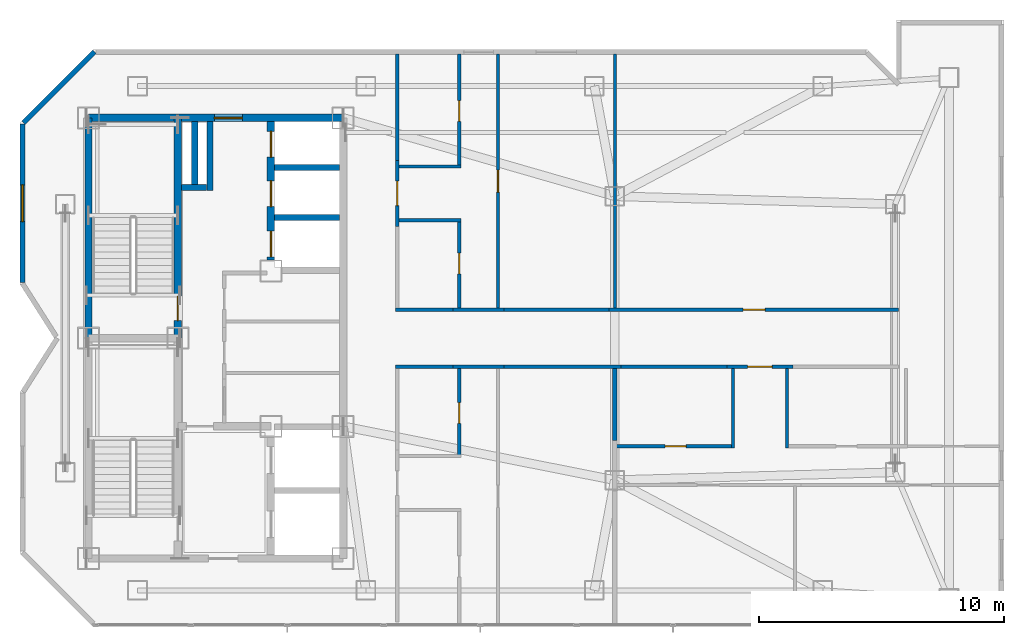
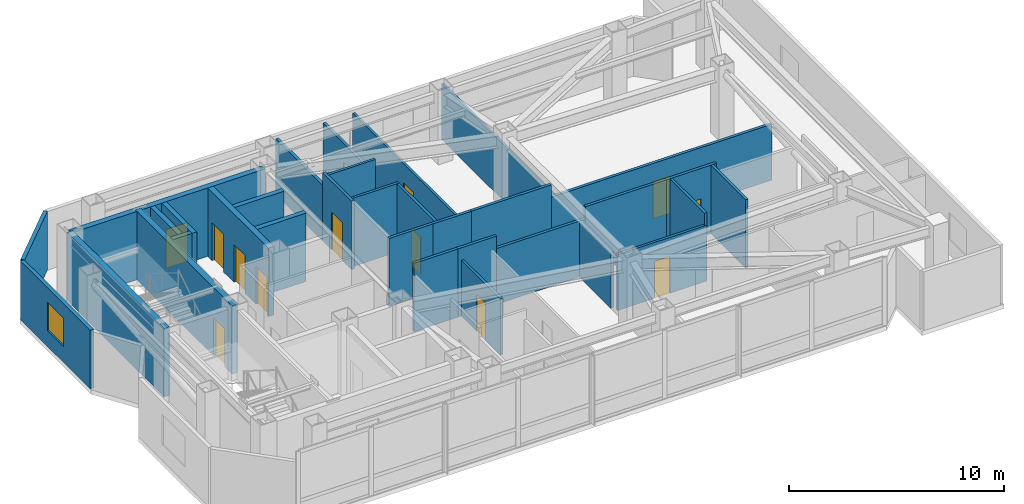
# One storey, part 10 of 12: 33 walls, 13 doors, 1 window, 14 openings.
"""IFC4 building model written with IfcOpenShell, lengths in metres."""

from ifc_helpers import new_model, si_unit, direction, frame, frame_2d, origin, place, context, subcontext, project, spatial, rectangle, extrude, material, layer, layer_set, type_object, element, fill, save


model = new_model("IFC4")

# Units and contexts
model_context = context("Model", 3, precision=1e-05, world=origin(), true_north=direction((0.0, 1.0)))
body_context = subcontext(model_context, "Body", "Model", "MODEL_VIEW")
ifc_project = project(units=[si_unit("LENGTHUNIT", "METRE"), si_unit("AREAUNIT", "SQUARE_METRE"), si_unit("VOLUMEUNIT", "CUBIC_METRE"), si_unit("PLANEANGLEUNIT", "RADIAN"), si_unit("MASSUNIT", "GRAM", prefix="KILO")], contexts=[model_context])

# Site, building, storey
site_placement = place(None, origin())
site = spatial("IfcSite", under=ifc_project, at=site_placement, CompositionType="ELEMENT")
building_placement = place(site_placement, origin())
building = spatial("IfcBuilding", under=site, at=building_placement, Name="Khamvora Tower", CompositionType="ELEMENT")
storey_placement = place(building_placement, frame((0.0, 0.0, 298.85009765625)))
storey = spatial("IfcBuildingStorey", under=building, at=storey_placement, Name="L76", CompositionType="ELEMENT", Elevation=298.85009765625)

# Wall
ifc_material_1 = material(Name="Concrete C50/60", Category="concrete")
ifc_layer_1 = layer(ifc_material_1, 0.300048828125)
ifc_layer_set_1 = layer_set([ifc_layer_1], Name="Concrete C50/60")
wall_type_1 = type_object("IfcWallType", Name="WAL-CORE-300", PredefinedType="SHEAR", material=ifc_layer_set_1)
wall_1_placement = place(storey_placement, frame((29.0, 28.0, 0.0), z_axis=(0.0, 0.0, 1.0), x_axis=(0.0, 1.0, 0.0)))
element("IfcWall", 1, at=wall_1_placement, inside=storey, type_object=wall_type_1, Name="L76 central core west north wall", PredefinedType="SHEAR", context=body_context, shape_type="SweptSolid", body=[
    extrude(rectangle(XDim=9.0, YDim=0.300048828125, at=frame_2d((4.5, 0.0))), origin(), (0.0, 0.0, 1.0), 3.8798828125),
])

# Wall, opening, door
wall_2_placement = place(storey_placement, frame((29.0, 37.0, 0.0), z_axis=(0.0, 0.0, 1.0), x_axis=(1.0, 0.0, 0.0)))
wall_2 = element("IfcWall", 2, at=wall_2_placement, inside=storey, type_object=wall_type_1, Name="L76 central core north wall", PredefinedType="SHEAR", context=body_context, shape_type="SweptSolid", body=[
    extrude(rectangle(XDim=10.39990234375, YDim=0.300048828125, at=frame_2d((5.199951171875, 0.0))), origin(), (0.0, 0.0, 1.0), 3.8798828125),
])
opening_1_placement = place(wall_2_placement, frame((5.139892578125, 0.0, 0.0)))
opening_1 = element("IfcOpeningElement", 3, at=opening_1_placement, cuts=wall_2, Name="Opening D-SC1", PredefinedType="OPENING", context=body_context, shape_type="SweptSolid", body=[
    extrude(rectangle(XDim=1.14990234375, YDim=2.199951171875, at=frame_2d((0.574951171875, 1.10009765625))), frame((0.0, 0.159912109375, 0.0), z_axis=(0.0, -1.0, 0.0), x_axis=(1.0, 0.0, 0.0)), (0.0, 0.0, 1.0), 0.320068359375),
])
ifc_material_2 = material(Name="Powder-Coated Steel and Hardwood Leaf", Category="steel")
door_type_1 = type_object("IfcDoorType", Name="DOR-SCHL-1150", OperationType="NOTDEFINED", PredefinedType="DOOR", material=ifc_material_2)
door_1_placement = place(opening_1_placement, origin())
door_1 = element("IfcDoor", 4, at=door_1_placement, inside=storey, type_object=door_type_1, Name="L76 north core lobby to corridor fire door", OperationType="SINGLE_SWING_LEFT", OverallHeight=2.199951171875, OverallWidth=1.14990234375, PredefinedType="DOOR", context=body_context, shape_type="SweptSolid", body=[
    extrude(rectangle(XDim=1.14990234375, YDim=2.199951171875, at=frame_2d((0.574951171875, 1.10009765625))), frame((0.0, 0.02490234375, 0.0), z_axis=(0.0, -1.0, 0.0), x_axis=(1.0, 0.0, 0.0)), (0.0, 0.0, 1.0), 0.050048828125),
])
fill(opening_1, door_1)

wall_3_placement = place(storey_placement, frame((32.64990234375, 28.0, 0.0), z_axis=(0.0, 0.0, 1.0), x_axis=(0.0, 1.0, 0.0)))
wall_3 = element("IfcWall", 5, at=wall_3_placement, inside=storey, type_object=wall_type_1, Name="L76 central core stair north spine wall", PredefinedType="SHEAR", context=body_context, shape_type="SweptSolid", body=[
    extrude(rectangle(XDim=9.0, YDim=0.300048828125, at=frame_2d((4.5, 0.0))), origin(), (0.0, 0.0, 1.0), 3.8798828125),
])
opening_2_placement = place(wall_3_placement, frame((0.719970703125, 0.0, 0.0)))
opening_2 = element("IfcOpeningElement", 6, at=opening_2_placement, cuts=wall_3, Name="Opening D-ST1", PredefinedType="OPENING", context=body_context, shape_type="SweptSolid", body=[
    extrude(rectangle(XDim=1.0, YDim=2.14990234375, at=frame_2d((0.5, 1.074951171875))), frame((0.0, 0.159912109375, 0.0), z_axis=(0.0, -1.0, 0.0), x_axis=(1.0, 0.0, 0.0)), (0.0, 0.0, 1.0), 0.320068359375),
])
door_type_2 = type_object("IfcDoorType", Name="DOR-STAIR-1000", OperationType="NOTDEFINED", PredefinedType="DOOR", material=ifc_material_2)
door_2_placement = place(opening_2_placement, origin())
door_2 = element("IfcDoor", 7, at=door_2_placement, inside=storey, type_object=door_type_2, Name="L76 exit stair ST-02 fire door", OperationType="SINGLE_SWING_RIGHT", OverallHeight=2.14990234375, OverallWidth=1.0, PredefinedType="DOOR", context=body_context, shape_type="SweptSolid", body=[
    extrude(rectangle(XDim=1.0, YDim=2.14990234375, at=frame_2d((0.5, 1.074951171875))), frame((0.0, 0.02490234375, 0.0), z_axis=(0.0, -1.0, 0.0), x_axis=(1.0, 0.0, 0.0)), (0.0, 0.0, 1.0), 0.050048828125),
])
fill(opening_2, door_2)

# Wall, openings, doors
wall_4_placement = place(storey_placement, frame((36.449951171875, 31.199951171875, 0.0), z_axis=(0.0, 0.0, 1.0), x_axis=(0.0, 1.0, 0.0)))
wall_4 = element("IfcWall", 8, at=wall_4_placement, inside=storey, type_object=wall_type_1, Name="L76 central core lift bank central wall", PredefinedType="SHEAR", context=body_context, shape_type="SweptSolid", body=[
    extrude(rectangle(XDim=5.64599609375, YDim=0.300048828125, at=frame_2d((2.822998046875, 0.0))), origin(), (0.0, 0.0, 1.0), 3.8798828125),
])
opening_3_placement = place(wall_4_placement, frame((0.125, 0.0, 0.0)))
opening_3 = element("IfcOpeningElement", 9, at=opening_3_placement, cuts=wall_4, Name="Opening LD-PL", PredefinedType="OPENING", context=body_context, shape_type="SweptSolid", body=[
    extrude(rectangle(XDim=1.050048828125, YDim=2.14990234375, at=frame_2d((0.52490234375, 1.074951171875))), frame((0.0, 0.159912109375, 0.0), z_axis=(0.0, -1.0, 0.0), x_axis=(1.0, 0.0, 0.0)), (0.0, 0.0, 1.0), 0.320068359375),
])
opening_4_placement = place(wall_4_placement, frame((2.175048828125, 0.0, 0.0)))
opening_4 = element("IfcOpeningElement", 10, at=opening_4_placement, cuts=wall_4, Name="Opening LD-PL", PredefinedType="OPENING", context=body_context, shape_type="SweptSolid", body=[
    extrude(rectangle(XDim=1.050048828125, YDim=2.14990234375, at=frame_2d((0.52490234375, 1.074951171875))), frame((0.0, 0.159912109375, 0.0), z_axis=(0.0, -1.0, 0.0), x_axis=(1.0, 0.0, 0.0)), (0.0, 0.0, 1.0), 0.320068359375),
])
opening_5_placement = place(wall_4_placement, frame((4.195068359375, 0.0, 0.0)))
opening_5 = element("IfcOpeningElement", 11, at=opening_5_placement, cuts=wall_4, Name="Opening LD-PL", PredefinedType="OPENING", context=body_context, shape_type="SweptSolid", body=[
    extrude(rectangle(XDim=1.050048828125, YDim=2.14990234375, at=frame_2d((0.52490234375, 1.074951171875))), frame((0.0, 0.159912109375, 0.0), z_axis=(0.0, -1.0, 0.0), x_axis=(1.0, 0.0, 0.0)), (0.0, 0.0, 1.0), 0.320068359375),
])
door_type_3 = type_object("IfcDoorType", Name="DOR-LIFT-1050", OperationType="SLIDING_TO_LEFT", PredefinedType="DOOR", material=ifc_material_2)
door_3_placement = place(opening_3_placement, origin())
door_3 = element("IfcDoor", 12, at=door_3_placement, inside=storey, type_object=door_type_3, Name="L76 lift landing sliding door PH-01", OperationType="SLIDING_TO_LEFT", OverallHeight=2.14990234375, OverallWidth=1.050048828125, PredefinedType="DOOR", context=body_context, shape_type="SweptSolid", body=[
    extrude(rectangle(XDim=1.050048828125, YDim=2.14990234375, at=frame_2d((0.52490234375, 1.074951171875))), frame((0.0, 0.02490234375, 0.0), z_axis=(0.0, -1.0, 0.0), x_axis=(1.0, 0.0, 0.0)), (0.0, 0.0, 1.0), 0.050048828125),
])
fill(opening_3, door_3)
door_4_placement = place(opening_4_placement, origin())
door_4 = element("IfcDoor", 13, at=door_4_placement, inside=storey, type_object=door_type_3, Name="L76 lift landing sliding door PH-02", OperationType="SLIDING_TO_LEFT", OverallHeight=2.14990234375, OverallWidth=1.050048828125, PredefinedType="DOOR", context=body_context, shape_type="SweptSolid", body=[
    extrude(rectangle(XDim=1.050048828125, YDim=2.14990234375, at=frame_2d((0.52490234375, 1.074951171875))), frame((0.0, 0.02490234375, 0.0), z_axis=(0.0, -1.0, 0.0), x_axis=(1.0, 0.0, 0.0)), (0.0, 0.0, 1.0), 0.050048828125),
])
fill(opening_4, door_4)
door_5_placement = place(opening_5_placement, origin())
door_5 = element("IfcDoor", 14, at=door_5_placement, inside=storey, type_object=door_type_3, Name="L76 lift landing sliding door PH-03", OperationType="SLIDING_TO_LEFT", OverallHeight=2.14990234375, OverallWidth=1.050048828125, PredefinedType="DOOR", context=body_context, shape_type="SweptSolid", body=[
    extrude(rectangle(XDim=1.050048828125, YDim=2.14990234375, at=frame_2d((0.52490234375, 1.074951171875))), frame((0.0, 0.02490234375, 0.0), z_axis=(0.0, -1.0, 0.0), x_axis=(1.0, 0.0, 0.0)), (0.0, 0.0, 1.0), 0.050048828125),
])
fill(opening_5, door_5)

# Wall, opening, door
ifc_material_3 = material(Name="Fire-Rated Drywall and Steel Stud", Category="steel")
ifc_layer_2 = layer(ifc_material_3, 0.14990234375)
ifc_layer_set_2 = layer_set([ifc_layer_2], Name="Fire-Rated Drywall and Steel Stud")
wall_type_2 = type_object("IfcWallType", Name="WAL-CORR-150", PredefinedType="STANDARD", material=ifc_layer_set_2)
wall_5_placement = place(storey_placement, frame((50.256103515625, 29.1650390625, 0.0), z_axis=(0.0, 0.0, 1.0), x_axis=(1.0, 0.0, 0.0)))
wall_5 = element("IfcWall", 15, at=wall_5_placement, inside=storey, type_object=wall_type_2, Name="L76 interior partition wall 007", PredefinedType="STANDARD", context=body_context, shape_type="SweptSolid", body=[
    extrude(rectangle(XDim=11.833984375, YDim=0.14990234375, at=frame_2d((5.9169921875, 0.0))), origin(), (0.0, 0.0, 1.0), 3.1748046875),
])
opening_6_placement = place(wall_5_placement, frame((5.488037109375, 0.0, 0.0)))
opening_6 = element("IfcOpeningElement", 16, at=opening_6_placement, cuts=wall_5, Name="Opening D-RM1", PredefinedType="OPENING", context=body_context, shape_type="SweptSolid", body=[
    extrude(rectangle(XDim=0.89990234375, YDim=2.10009765625, at=frame_2d((0.449951171875, 1.050048828125))), frame((0.0, 0.0849609375, 0.0), z_axis=(0.0, -1.0, 0.0), x_axis=(1.0, 0.0, 0.0)), (0.0, 0.0, 1.0), 0.169921875),
])
door_type_4 = type_object("IfcDoorType", Name="DOR-ROOM-900", OperationType="NOTDEFINED", PredefinedType="DOOR", material=ifc_material_2)
door_6_placement = place(opening_6_placement, origin())
door_6 = element("IfcDoor", 17, at=door_6_placement, inside=storey, type_object=door_type_4, Name="L76 interior door COR-CSAL", OperationType="SINGLE_SWING_LEFT", OverallHeight=2.10009765625, OverallWidth=0.89990234375, PredefinedType="DOOR", context=body_context, shape_type="SweptSolid", body=[
    extrude(rectangle(XDim=0.89990234375, YDim=2.10009765625, at=frame_2d((0.449951171875, 1.050048828125))), frame((0.0, 0.02490234375, 0.0), z_axis=(0.0, -1.0, 0.0), x_axis=(1.0, 0.0, 0.0)), (0.0, 0.0, 1.0), 0.050048828125),
])
fill(opening_6, door_6)

# Walls
wall_6_placement = place(storey_placement, frame((45.97412109375, 26.8349609375, 0.0), z_axis=(0.0, 0.0, 1.0), x_axis=(-1.0, 0.0, 0.0)))
element("IfcWall", 18, at=wall_6_placement, inside=storey, type_object=wall_type_2, Name="L76 interior partition wall 008", PredefinedType="STANDARD", context=body_context, shape_type="SweptSolid", body=[
    extrude(rectangle(XDim=2.078125, YDim=0.14990234375, at=frame_2d((1.0390625, 0.0))), origin(), (0.0, 0.0, 1.0), 3.8798828125),
])
wall_7_placement = place(storey_placement, frame((43.89599609375, 26.8349609375, 0.0), z_axis=(0.0, 0.0, 1.0), x_axis=(-1.0, 0.0, 0.0)))
element("IfcWall", 19, at=wall_7_placement, inside=storey, type_object=wall_type_2, Name="L76 interior partition wall 010", PredefinedType="STANDARD", context=body_context, shape_type="SweptSolid", body=[
    extrude(rectangle(XDim=2.345947265625, YDim=0.14990234375, at=frame_2d((1.1728515625, 0.0))), origin(), (0.0, 0.0, 1.0), 3.8798828125),
])
wall_8_placement = place(storey_placement, frame((50.743896484375, 26.8349609375, 0.0), z_axis=(0.0, 0.0, 1.0), x_axis=(-1.0, 0.0, 0.0)))
element("IfcWall", 20, at=wall_8_placement, inside=storey, type_object=wall_type_2, Name="L76 interior partition wall 013", PredefinedType="STANDARD", context=body_context, shape_type="SweptSolid", body=[
    extrude(rectangle(XDim=4.769775390625, YDim=0.14990234375, at=frame_2d((2.384765625, 0.0))), origin(), (0.0, 0.0, 1.0), 3.1748046875),
])

# Wall, opening, door
wall_9_placement = place(storey_placement, frame((57.780029296875, 26.8349609375, 0.0), z_axis=(0.0, 0.0, 1.0), x_axis=(-1.0, 0.0, 0.0)))
wall_9 = element("IfcWall", 21, at=wall_9_placement, inside=storey, type_object=wall_type_2, Name="L76 interior partition wall 014", PredefinedType="STANDARD", context=body_context, shape_type="SweptSolid", body=[
    extrude(rectangle(XDim=2.697998046875, YDim=0.14990234375, at=frame_2d((1.34912109375, 0.0))), origin(), (0.0, 0.0, 1.0), 3.8798828125),
])
opening_7_placement = place(wall_9_placement, frame((0.84912109375, 0.0, 0.0)))
opening_7 = element("IfcOpeningElement", 22, at=opening_7_placement, cuts=wall_9, Name="Opening D-U1", PredefinedType="OPENING", context=body_context, shape_type="SweptSolid", body=[
    extrude(rectangle(XDim=1.0, YDim=2.14990234375, at=frame_2d((0.5, 1.074951171875))), frame((0.0, 0.0849609375, 0.0), z_axis=(0.0, -1.0, 0.0), x_axis=(1.0, 0.0, 0.0)), (0.0, 0.0, 1.0), 0.169921875),
])
door_type_5 = type_object("IfcDoorType", Name="DOR-UNIT-1000", OperationType="NOTDEFINED", PredefinedType="DOOR", material=ifc_material_2)
door_7_placement = place(opening_7_placement, origin())
door_7 = element("IfcDoor", 23, at=door_7_placement, inside=storey, type_object=door_type_5, Name="L76 interior door COR-76DH", OperationType="SINGLE_SWING_LEFT", OverallHeight=2.14990234375, OverallWidth=1.0, PredefinedType="DOOR", context=body_context, shape_type="SweptSolid", body=[
    extrude(rectangle(XDim=1.0, YDim=2.14990234375, at=frame_2d((0.5, 1.074951171875))), frame((0.0, 0.02490234375, 0.0), z_axis=(0.0, -1.0, 0.0), x_axis=(1.0, 0.0, 0.0)), (0.0, 0.0, 1.0), 0.050048828125),
])
fill(opening_7, door_7)

# Walls
wall_10_placement = place(storey_placement, frame((55.08203125, 26.8349609375, 0.0), z_axis=(0.0, 0.0, 1.0), x_axis=(-1.0, 0.0, 0.0)))
element("IfcWall", 24, at=wall_10_placement, inside=storey, type_object=wall_type_2, Name="L76 interior partition wall 015", PredefinedType="STANDARD", context=body_context, shape_type="SweptSolid", body=[
    extrude(rectangle(XDim=4.338134765625, YDim=0.14990234375, at=frame_2d((2.1689453125, 0.0))), origin(), (0.0, 0.0, 1.0), 3.8798828125),
])
wall_11_placement = place(storey_placement, frame((43.89599609375, 29.1650390625, 0.0), z_axis=(0.0, 0.0, 1.0), x_axis=(1.0, 0.0, 0.0)))
element("IfcWall", 25, at=wall_11_placement, inside=storey, type_object=wall_type_2, Name="L76 interior partition wall 017", PredefinedType="STANDARD", context=body_context, shape_type="SweptSolid", body=[
    extrude(rectangle(XDim=2.078125, YDim=0.14990234375, at=frame_2d((1.0390625, 0.0))), origin(), (0.0, 0.0, 1.0), 3.8798828125),
])

# Wall, opening, door
wall_12_placement = place(storey_placement, frame((41.614990234375, 35.264892578125, 0.0), z_axis=(0.0, 0.0, 1.0), x_axis=(0.0, -1.0, 0.0)))
wall_12 = element("IfcWall", 26, at=wall_12_placement, inside=storey, type_object=wall_type_2, Name="L76 interior partition wall 018", PredefinedType="STANDARD", context=body_context, shape_type="SweptSolid", body=[
    extrude(rectangle(XDim=2.697998046875, YDim=0.14990234375, at=frame_2d((1.34912109375, 0.0))), origin(), (0.0, 0.0, 1.0), 3.8798828125),
])
opening_8_placement = place(wall_12_placement, frame((0.84912109375, 0.0, 0.0)))
opening_8 = element("IfcOpeningElement", 27, at=opening_8_placement, cuts=wall_12, Name="Opening D-U1", PredefinedType="OPENING", context=body_context, shape_type="SweptSolid", body=[
    extrude(rectangle(XDim=1.0, YDim=2.14990234375, at=frame_2d((0.5, 1.074951171875))), frame((0.0, 0.0849609375, 0.0), z_axis=(0.0, -1.0, 0.0), x_axis=(1.0, 0.0, 0.0)), (0.0, 0.0, 1.0), 0.169921875),
])
door_8_placement = place(opening_8_placement, origin())
door_8 = element("IfcDoor", 28, at=door_8_placement, inside=storey, type_object=door_type_5, Name="L76 interior door COR-76EH", OperationType="SINGLE_SWING_RIGHT", OverallHeight=2.14990234375, OverallWidth=1.0, PredefinedType="DOOR", context=body_context, shape_type="SweptSolid", body=[
    extrude(rectangle(XDim=1.0, YDim=2.14990234375, at=frame_2d((0.5, 1.074951171875))), frame((0.0, 0.02490234375, 0.0), z_axis=(0.0, -1.0, 0.0), x_axis=(1.0, 0.0, 0.0)), (0.0, 0.0, 1.0), 0.050048828125),
])
fill(opening_8, door_8)

# Walls
wall_13_placement = place(storey_placement, frame((41.550048828125, 29.1650390625, 0.0), z_axis=(0.0, 0.0, 1.0), x_axis=(1.0, 0.0, 0.0)))
element("IfcWall", 29, at=wall_13_placement, inside=storey, type_object=wall_type_2, Name="L76 interior partition wall 019", PredefinedType="STANDARD", context=body_context, shape_type="SweptSolid", body=[
    extrude(rectangle(XDim=2.345947265625, YDim=0.14990234375, at=frame_2d((1.1728515625, 0.0))), origin(), (0.0, 0.0, 1.0), 3.8798828125),
])
wall_14_placement = place(storey_placement, frame((41.614990234375, 39.60791015625, 0.0), z_axis=(0.0, 0.0, 1.0), x_axis=(0.0, -1.0, 0.0)))
element("IfcWall", 30, at=wall_14_placement, inside=storey, type_object=wall_type_2, Name="L76 interior partition wall 021", PredefinedType="STANDARD", context=body_context, shape_type="SweptSolid", body=[
    extrude(rectangle(XDim=4.343017578125, YDim=0.14990234375, at=frame_2d((2.17138671875, 0.0))), origin(), (0.0, 0.0, 1.0), 3.1748046875),
])
wall_15_placement = place(storey_placement, frame((45.97412109375, 29.1650390625, 0.0), z_axis=(0.0, 0.0, 1.0), x_axis=(1.0, 0.0, 0.0)))
element("IfcWall", 31, at=wall_15_placement, inside=storey, type_object=wall_type_2, Name="L76 interior partition wall 022", PredefinedType="STANDARD", context=body_context, shape_type="SweptSolid", body=[
    extrude(rectangle(XDim=4.281982421875, YDim=0.14990234375, at=frame_2d((2.14111328125, 0.0))), origin(), (0.0, 0.0, 1.0), 3.8798828125),
])
ifc_material_4 = material(Name="Acoustic Double-Stud Fire Wall", Category="gypsum")
ifc_layer_3 = layer(ifc_material_4, 0.179931640625)
ifc_layer_set_3 = layer_set([ifc_layer_3], Name="Acoustic Double-Stud Fire Wall")
wall_type_3 = type_object("IfcWallType", Name="WAL-CORR-180", PredefinedType="STANDARD", material=ifc_layer_set_3)
wall_16_placement = place(storey_placement, frame((50.4951171875, 26.77001953125, 0.0), z_axis=(0.0, 0.0, 1.0), x_axis=(0.0, -1.0, 0.0)))
element("IfcWall", 32, at=wall_16_placement, inside=storey, type_object=wall_type_3, Name="L76 interior partition wall 030", PredefinedType="STANDARD", context=body_context, shape_type="SweptSolid", body=[
    extrude(rectangle(XDim=2.93896484375, YDim=0.179931640625, at=frame_2d((1.469482421875, 0.0))), origin(), (0.0, 0.0, 1.0), 3.1748046875),
])

# Wall, opening, window
ifc_material_5 = material(Name="Precast concrete C40/50", Category="concrete")
ifc_layer_4 = layer(ifc_material_5, 0.199951171875)
ifc_layer_set_4 = layer_set([ifc_layer_4], Name="Precast concrete C40/50")
wall_type_4 = type_object("IfcWallType", Name="WAL-EXT-200", PredefinedType="STANDARD", material=ifc_layer_set_4)
wall_17_placement = place(storey_placement, frame((26.300048828125, 30.27392578125, 0.0), z_axis=(0.0, 0.0, 1.0), x_axis=(0.0, 1.0, 0.0)))
wall_17 = element("IfcWall", 33, at=wall_17_placement, inside=storey, type_object=wall_type_4, Name="L76 exterior facade wall 06.1", PredefinedType="STANDARD", context=body_context, shape_type="SweptSolid", body=[
    extrude(rectangle(XDim=6.485107421875, YDim=0.199951171875, at=frame_2d((3.24267578125, 0.0))), origin(), (0.0, 0.0, 1.0), 3.329833984375),
])
opening_9_placement = place(wall_17_placement, frame((2.491943359375, 0.0, 0.89990234375)))
opening_9 = element("IfcOpeningElement", 34, at=opening_9_placement, cuts=wall_17, Name="Opening WN-02", PredefinedType="OPENING", context=body_context, shape_type="SweptSolid", body=[
    extrude(rectangle(XDim=1.5, YDim=1.60009765625, at=frame_2d((0.75, 0.800048828125))), frame((0.0, 0.10986328125, 0.0), z_axis=(0.0, -1.0, 0.0), x_axis=(1.0, 0.0, 0.0)), (0.0, 0.0, 1.0), 0.219970703125),
])
ifc_material_6 = material(Name="Low-E Laminated Double Glazing", Category="glass")
window_type = type_object("IfcWindowType", Name="WIN-VIS-1500x1600", PartitioningType="SINGLE_PANEL", PredefinedType="WINDOW", material=ifc_material_6)
window_placement = place(opening_9_placement, origin())
window = element("IfcWindow", 35, at=window_placement, inside=storey, type_object=window_type, Name="L76 vision window 06.1.01", OverallHeight=1.60009765625, OverallWidth=1.5, PartitioningType="SINGLE_PANEL", PredefinedType="WINDOW", context=body_context, shape_type="SweptSolid", body=[
    extrude(rectangle(XDim=1.5, YDim=1.60009765625, at=frame_2d((0.75, 0.800048828125))), frame((0.0, 0.030029296875, 0.0), z_axis=(0.0, -1.0, 0.0), x_axis=(1.0, 0.0, 0.0)), (0.0, 0.0, 1.0), 0.06005859375),
])
fill(opening_9, window)

# Walls
wall_18_placement = place(storey_placement, frame((26.343994140625, 36.802978515625, 0.0), z_axis=(0.0, 0.0, 1.0), x_axis=(0.707106781187, 0.707106781187, 0.0)))
element("IfcWall", 36, at=wall_18_placement, inside=storey, type_object=wall_type_4, Name="L76 exterior facade wall 07.1", PredefinedType="STANDARD", context=body_context, shape_type="SweptSolid", body=[
    extrude(rectangle(XDim=4.096923828125, YDim=0.199951171875, at=frame_2d((2.04833984375, 0.0))), origin(), (0.0, 0.0, 1.0), 3.329833984375),
])
ifc_material_7 = material(Name="Gypsum Plasterboard Partition", Category="gypsum")
ifc_layer_5 = layer(ifc_material_7, 0.1201171875)
ifc_layer_set_5 = layer_set([ifc_layer_5], Name="Gypsum Plasterboard Partition")
wall_type_5 = type_object("IfcWallType", Name="WAL-PART-120", PredefinedType="PARTITIONING", material=ifc_layer_set_5)
wall_19_placement = place(storey_placement, frame((50.5048828125, 29.22998046875, 0.0), z_axis=(0.0, 0.0, 1.0), x_axis=(0.0, 1.0, 0.0)))
element("IfcWall", 37, at=wall_19_placement, inside=storey, type_object=wall_type_5, Name="L76 interior partition wall 023", PredefinedType="PARTITIONING", context=body_context, shape_type="SweptSolid", body=[
    extrude(rectangle(XDim=10.3779296875, YDim=0.1201171875, at=frame_2d((5.18896484375, 0.0))), origin(), (0.0, 0.0, 1.0), 3.1748046875),
])

# Wall, opening, door
wall_20_placement = place(storey_placement, frame((45.72509765625, 39.60791015625, 0.0), z_axis=(0.0, 0.0, 1.0), x_axis=(0.0, -1.0, 0.0)))
wall_20 = element("IfcWall", 38, at=wall_20_placement, inside=storey, type_object=wall_type_5, Name="L76 interior partition wall 045", PredefinedType="PARTITIONING", context=body_context, shape_type="SweptSolid", body=[
    extrude(rectangle(XDim=10.3779296875, YDim=0.1201171875, at=frame_2d((5.18896484375, 0.0))), origin(), (0.0, 0.0, 1.0), 3.1748046875),
])
opening_10_placement = place(wall_20_placement, frame((4.739013671875, 0.0, 0.0)))
opening_10 = element("IfcOpeningElement", 39, at=opening_10_placement, cuts=wall_20, Name="Opening D-RM1", PredefinedType="OPENING", context=body_context, shape_type="SweptSolid", body=[
    extrude(rectangle(XDim=0.89990234375, YDim=2.10009765625, at=frame_2d((0.449951171875, 1.050048828125))), frame((0.0, 0.070068359375, 0.0), z_axis=(0.0, -1.0, 0.0), x_axis=(1.0, 0.0, 0.0)), (0.0, 0.0, 1.0), 0.14013671875),
])
door_9_placement = place(opening_10_placement, origin())
door_9 = element("IfcDoor", 40, at=door_9_placement, inside=storey, type_object=door_type_4, Name="L76 interior door 76EH-76ER1", OperationType="SINGLE_SWING_RIGHT", OverallHeight=2.10009765625, OverallWidth=0.89990234375, PredefinedType="DOOR", context=body_context, shape_type="SweptSolid", body=[
    extrude(rectangle(XDim=0.89990234375, YDim=2.10009765625, at=frame_2d((0.449951171875, 1.050048828125))), frame((0.0, 0.02490234375, 0.0), z_axis=(0.0, -1.0, 0.0), x_axis=(1.0, 0.0, 0.0)), (0.0, 0.0, 1.0), 0.050048828125),
])
fill(opening_10, door_9)

# Walls
ifc_material_8 = material(Name="Concrete C40/50", Category="concrete")
ifc_layer_6 = layer(ifc_material_8, 0.25)
ifc_layer_set_6 = layer_set([ifc_layer_6], Name="Concrete C40/50")
wall_type_6 = type_object("IfcWallType", Name="WAL-PODS-250", PredefinedType="SHEAR", material=ifc_layer_set_6)
for number, where, z_axis, x_axis, name in (
    (41, (36.60400390625, 32.925048828125, 0.0), (0.0, 0.0, 1.0), (1.0, 0.0, 0.0), "L76 lift shaft divider wall PH-01"),
    (42, (36.60400390625, 34.97509765625, 0.0), (0.0, 0.0, 1.0), (1.0, 0.0, 0.0), "L76 lift shaft divider wall PH-02"),
):
    element("IfcWall", number, at=place(storey_placement, frame(where, z_axis=z_axis, x_axis=x_axis)), inside=storey, type_object=wall_type_6, Name=name, PredefinedType="SHEAR", context=body_context, shape_type="SweptSolid", body=[
        extrude(rectangle(XDim=2.64208984375, YDim=0.25, at=frame_2d((1.321044921875, 0.0))), origin(), (0.0, 0.0, 1.0), 3.8798828125),
    ])
wall_21_placement = place(storey_placement, frame((33.955078125, 34.02490234375, 0.0), z_axis=(0.0, 0.0, 1.0), x_axis=(0.0, 1.0, 0.0)))
element("IfcWall", 43, at=wall_21_placement, inside=storey, type_object=wall_type_6, Name="L76 vertical MEP riser shaft east enclosure wall", PredefinedType="SHEAR", context=body_context, shape_type="SweptSolid", body=[
    extrude(rectangle(XDim=2.821044921875, YDim=0.25, at=frame_2d((1.41064453125, 0.0))), origin(), (0.0, 0.0, 1.0), 3.8798828125),
])
wall_22_placement = place(storey_placement, frame((32.803955078125, 34.14990234375, 0.0), z_axis=(0.0, 0.0, 1.0), x_axis=(1.0, 0.0, 0.0)))
element("IfcWall", 44, at=wall_22_placement, inside=storey, type_object=wall_type_6, Name="L76 vertical MEP riser shaft south enclosure wall", PredefinedType="SHEAR", context=body_context, shape_type="SweptSolid", body=[
    extrude(rectangle(XDim=1.02197265625, YDim=0.25, at=frame_2d((0.510986328125, 0.0))), origin(), (0.0, 0.0, 1.0), 3.8798828125),
])
wall_23_placement = place(storey_placement, frame((33.340087890625, 34.279052734375, 0.0), z_axis=(0.0, 0.0, 1.0), x_axis=(0.0, 1.0, 0.0)))
element("IfcWall", 45, at=wall_23_placement, inside=storey, type_object=wall_type_6, Name="L76 vertical MEP riser shaft divider enclosure wall", PredefinedType="SHEAR", context=body_context, shape_type="SweptSolid", body=[
    extrude(rectangle(XDim=2.56689453125, YDim=0.25, at=frame_2d((1.283447265625, 0.0))), origin(), (0.0, 0.0, 1.0), 3.8798828125),
])

# Wall, opening, door
ifc_material_9 = material(Name="Moisture-Resistant Plasterboard Partition", Category="gypsum")
ifc_layer_7 = layer(ifc_material_9, 0.135009765625)
ifc_layer_set_7 = layer_set([ifc_layer_7], Name="Moisture-Resistant Plasterboard Partition")
wall_type_7 = type_object("IfcWallType", Name="WAL-WET-135", PredefinedType="PARTITIONING", material=ifc_layer_set_7)
wall_24_placement = place(storey_placement, frame((44.14501953125, 23.118896484375, 0.0), z_axis=(0.0, 0.0, 1.0), x_axis=(0.0, 1.0, 0.0)))
wall_24 = element("IfcWall", 46, at=wall_24_placement, inside=storey, type_object=wall_type_7, Name="L76 interior partition wall 025", PredefinedType="PARTITIONING", context=body_context, shape_type="SweptSolid", body=[
    extrude(rectangle(XDim=3.651123046875, YDim=0.135009765625, at=frame_2d((1.82568359375, 0.0))), origin(), (0.0, 0.0, 1.0), 3.1748046875),
])
opening_11_placement = place(wall_24_placement, frame((1.39990234375, 0.0, 0.0)))
opening_11 = element("IfcOpeningElement", 47, at=opening_11_placement, cuts=wall_24, Name="Opening D-WC1", PredefinedType="OPENING", context=body_context, shape_type="SweptSolid", body=[
    extrude(rectangle(XDim=0.85009765625, YDim=2.10009765625, at=frame_2d((0.425048828125, 1.050048828125))), frame((0.0, 0.077392578125, 0.0), z_axis=(0.0, -1.0, 0.0), x_axis=(1.0, 0.0, 0.0)), (0.0, 0.0, 1.0), 0.155029296875),
])
door_type_6 = type_object("IfcDoorType", Name="DOR-WET-850", OperationType="NOTDEFINED", PredefinedType="DOOR", material=ifc_material_2)
door_10_placement = place(opening_11_placement, origin())
door_10 = element("IfcDoor", 48, at=door_10_placement, inside=storey, type_object=door_type_6, Name="L76 interior door 76CH-76CB", OperationType="SINGLE_SWING_LEFT", OverallHeight=2.10009765625, OverallWidth=0.85009765625, PredefinedType="DOOR", context=body_context, shape_type="SweptSolid", body=[
    extrude(rectangle(XDim=0.85009765625, YDim=2.10009765625, at=frame_2d((0.425048828125, 1.050048828125))), frame((0.0, 0.02490234375, 0.0), z_axis=(0.0, -1.0, 0.0), x_axis=(1.0, 0.0, 0.0)), (0.0, 0.0, 1.0), 0.050048828125),
])
fill(opening_11, door_10)

wall_25_placement = place(storey_placement, frame((50.576904296875, 23.5859375, 0.0), z_axis=(0.0, 0.0, 1.0), x_axis=(1.0, 0.0, 0.0)))
wall_25 = element("IfcWall", 49, at=wall_25_placement, inside=storey, type_object=wall_type_7, Name="L76 interior partition wall 034", PredefinedType="PARTITIONING", context=body_context, shape_type="SweptSolid", body=[
    extrude(rectangle(XDim=4.819091796875, YDim=0.135009765625, at=frame_2d((2.40966796875, 0.0))), origin(), (0.0, 0.0, 1.0), 3.1748046875),
])
opening_12_placement = place(wall_25_placement, frame((1.98388671875, 0.0, 0.0)))
opening_12 = element("IfcOpeningElement", 50, at=opening_12_placement, cuts=wall_25, Name="Opening D-WC1", PredefinedType="OPENING", context=body_context, shape_type="SweptSolid", body=[
    extrude(rectangle(XDim=0.85009765625, YDim=2.10009765625, at=frame_2d((0.425048828125, 1.050048828125))), frame((0.0, 0.077392578125, 0.0), z_axis=(0.0, -1.0, 0.0), x_axis=(1.0, 0.0, 0.0)), (0.0, 0.0, 1.0), 0.155029296875),
])
door_11_placement = place(opening_12_placement, origin())
door_11 = element("IfcDoor", 51, at=door_11_placement, inside=storey, type_object=door_type_6, Name="L76 interior door 76DH-76DB", OperationType="SINGLE_SWING_LEFT", OverallHeight=2.10009765625, OverallWidth=0.85009765625, PredefinedType="DOOR", context=body_context, shape_type="SweptSolid", body=[
    extrude(rectangle(XDim=0.85009765625, YDim=2.10009765625, at=frame_2d((0.425048828125, 1.050048828125))), frame((0.0, 0.02490234375, 0.0), z_axis=(0.0, -1.0, 0.0), x_axis=(1.0, 0.0, 0.0)), (0.0, 0.0, 1.0), 0.050048828125),
])
fill(opening_12, door_11)

# Walls
for number, where, z_axis, x_axis, name in (
    (52, (55.3310546875, 23.52099609375, 0.0), (0.0, 0.0, 1.0), (0.0, 1.0, 0.0), "L76 interior partition wall 035"),
    (53, (57.531005859375, 26.77001953125, 0.0), (0.0, 0.0, 1.0), (0.0, -1.0, 0.0), "L76 interior partition wall 036"),
):
    element("IfcWall", number, at=place(storey_placement, frame(where, z_axis=z_axis, x_axis=x_axis)), inside=storey, type_object=wall_type_7, Name=name, PredefinedType="PARTITIONING", context=body_context, shape_type="SweptSolid", body=[
        extrude(rectangle(XDim=3.2490234375, YDim=0.135009765625, at=frame_2d((1.62451171875, 0.0))), origin(), (0.0, 0.0, 1.0), 3.8798828125),
    ])

# Wall, opening, door
wall_26_placement = place(storey_placement, frame((44.14501953125, 29.22998046875, 0.0), z_axis=(0.0, 0.0, 1.0), x_axis=(0.0, 1.0, 0.0)))
wall_26 = element("IfcWall", 54, at=wall_26_placement, inside=storey, type_object=wall_type_7, Name="L76 interior partition wall 041", PredefinedType="PARTITIONING", context=body_context, shape_type="SweptSolid", body=[
    extrude(rectangle(XDim=3.651123046875, YDim=0.135009765625, at=frame_2d((1.82568359375, 0.0))), origin(), (0.0, 0.0, 1.0), 3.8798828125),
])
opening_13_placement = place(wall_26_placement, frame((1.39990234375, 0.0, 0.0)))
opening_13 = element("IfcOpeningElement", 55, at=opening_13_placement, cuts=wall_26, Name="Opening D-WC1", PredefinedType="OPENING", context=body_context, shape_type="SweptSolid", body=[
    extrude(rectangle(XDim=0.85009765625, YDim=2.10009765625, at=frame_2d((0.425048828125, 1.050048828125))), frame((0.0, 0.077392578125, 0.0), z_axis=(0.0, -1.0, 0.0), x_axis=(1.0, 0.0, 0.0)), (0.0, 0.0, 1.0), 0.155029296875),
])
door_12_placement = place(opening_13_placement, origin())
door_12 = element("IfcDoor", 56, at=door_12_placement, inside=storey, type_object=door_type_6, Name="L76 interior door 76EH-76EB", OperationType="SINGLE_SWING_RIGHT", OverallHeight=2.10009765625, OverallWidth=0.85009765625, PredefinedType="DOOR", context=body_context, shape_type="SweptSolid", body=[
    extrude(rectangle(XDim=0.85009765625, YDim=2.10009765625, at=frame_2d((0.425048828125, 1.050048828125))), frame((0.0, 0.02490234375, 0.0), z_axis=(0.0, -1.0, 0.0), x_axis=(1.0, 0.0, 0.0)), (0.0, 0.0, 1.0), 0.050048828125),
])
fill(opening_13, door_12)

# Walls
for number, where, z_axis, x_axis, name in (
    (57, (44.2099609375, 32.81591796875, 0.0), (0.0, 0.0, 1.0), (-1.0, 0.0, 0.0), "L76 interior partition wall 042"),
    (58, (41.681884765625, 35.01611328125, 0.0), (0.0, 0.0, 1.0), (1.0, 0.0, 0.0), "L76 interior partition wall 043"),
):
    element("IfcWall", number, at=place(storey_placement, frame(where, z_axis=z_axis, x_axis=x_axis)), inside=storey, type_object=wall_type_7, Name=name, PredefinedType="PARTITIONING", context=body_context, shape_type="SweptSolid", body=[
        extrude(rectangle(XDim=2.528076171875, YDim=0.135009765625, at=frame_2d((1.26416015625, 0.0))), origin(), (0.0, 0.0, 1.0), 3.8798828125),
    ])

# Wall, opening, door
wall_27_placement = place(storey_placement, frame((44.14501953125, 34.950927734375, 0.0), z_axis=(0.0, 0.0, 1.0), x_axis=(0.0, 1.0, 0.0)))
wall_27 = element("IfcWall", 59, at=wall_27_placement, inside=storey, type_object=wall_type_7, Name="L76 interior partition wall 044", PredefinedType="PARTITIONING", context=body_context, shape_type="SweptSolid", body=[
    extrude(rectangle(XDim=4.656982421875, YDim=0.135009765625, at=frame_2d((2.32861328125, 0.0))), origin(), (0.0, 0.0, 1.0), 3.1748046875),
])
opening_14_placement = place(wall_27_placement, frame((1.903076171875, 0.0, 0.0)))
opening_14 = element("IfcOpeningElement", 60, at=opening_14_placement, cuts=wall_27, Name="Opening D-RM2", PredefinedType="OPENING", context=body_context, shape_type="SweptSolid", body=[
    extrude(rectangle(XDim=0.85009765625, YDim=2.10009765625, at=frame_2d((0.425048828125, 1.050048828125))), frame((0.0, 0.077392578125, 0.0), z_axis=(0.0, -1.0, 0.0), x_axis=(1.0, 0.0, 0.0)), (0.0, 0.0, 1.0), 0.155029296875),
])
door_type_7 = type_object("IfcDoorType", Name="DOR-ROOM-850", OperationType="NOTDEFINED", PredefinedType="DOOR", material=ifc_material_2)
door_13_placement = place(opening_14_placement, origin())
door_13 = element("IfcDoor", 61, at=door_13_placement, inside=storey, type_object=door_type_7, Name="L76 interior door 76EH-76EK", OperationType="SINGLE_SWING_LEFT", OverallHeight=2.10009765625, OverallWidth=0.85009765625, PredefinedType="DOOR", context=body_context, shape_type="SweptSolid", body=[
    extrude(rectangle(XDim=0.85009765625, YDim=2.10009765625, at=frame_2d((0.425048828125, 1.050048828125))), frame((0.0, 0.02490234375, 0.0), z_axis=(0.0, -1.0, 0.0), x_axis=(1.0, 0.0, 0.0)), (0.0, 0.0, 1.0), 0.050048828125),
])
fill(opening_14, door_13)

save(model, "model.ifc")
